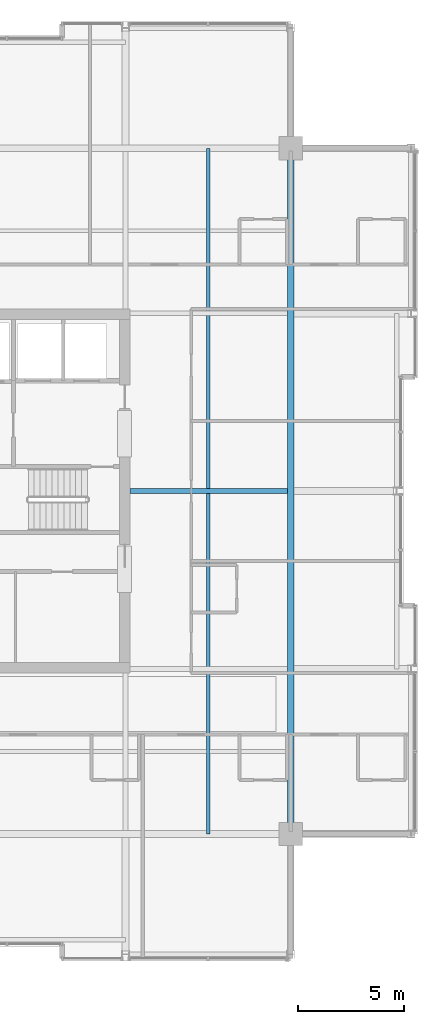
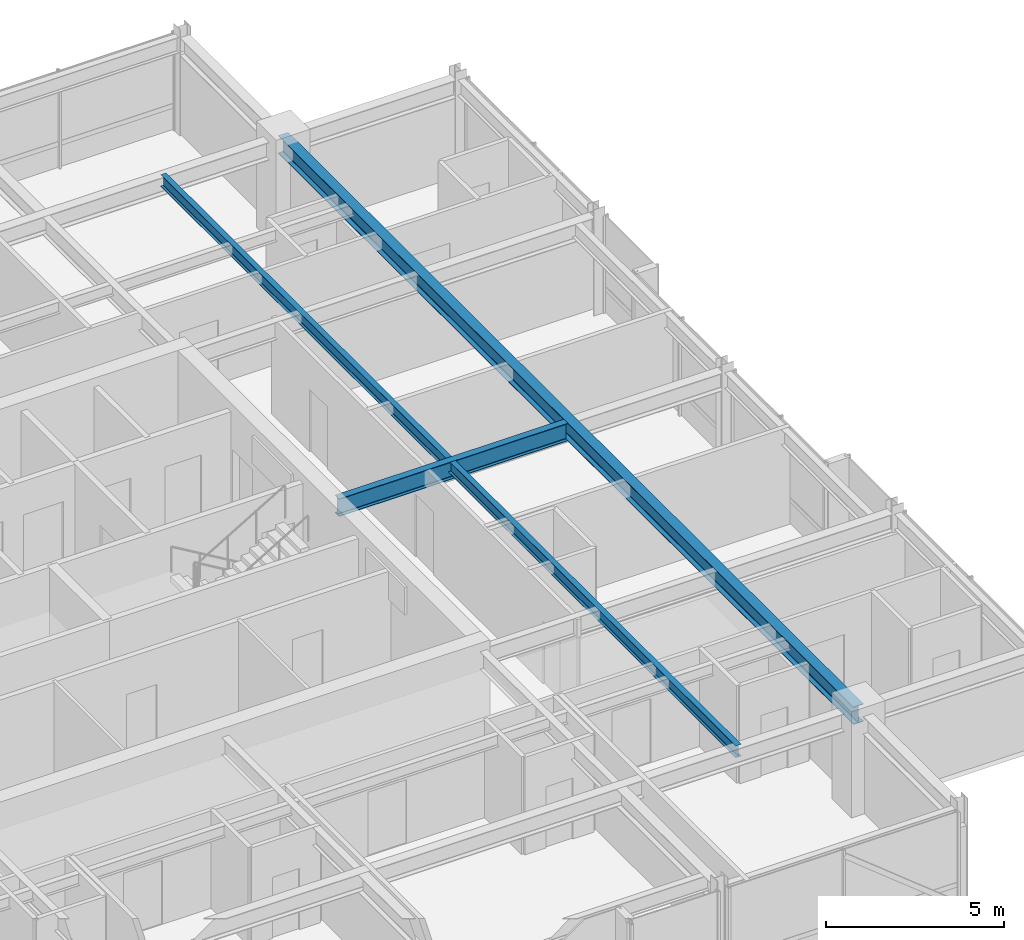
# One storey, part 17 of 34: 3 beams.
"""IFC4 building model written with IfcOpenShell, lengths in metres."""

from ifc_helpers import new_model, si_unit, direction, frame, origin, origin_2d, place, context, subcontext, project, spatial, i_section, extrude, material, material_profile, profile_set, type_object, element, save


model = new_model("IFC4")

# Units and contexts
model_context = context("Model", 3, precision=1e-05, world=origin(), true_north=direction((0.0, 1.0)))
body_context = subcontext(model_context, "Body", "Model", "MODEL_VIEW")
ifc_project = project(units=[si_unit("LENGTHUNIT", "METRE"), si_unit("AREAUNIT", "SQUARE_METRE"), si_unit("VOLUMEUNIT", "CUBIC_METRE"), si_unit("PLANEANGLEUNIT", "RADIAN"), si_unit("MASSUNIT", "GRAM", prefix="KILO")], contexts=[model_context])

# Site, building, storey
site_placement = place(None, origin())
site = spatial("IfcSite", under=ifc_project, at=site_placement, CompositionType="ELEMENT")
building_placement = place(site_placement, origin())
building = spatial("IfcBuilding", under=site, at=building_placement, Name="Drelvath Grand Hotel", CompositionType="ELEMENT")
storey_placement = place(building_placement, frame((0.0, 0.0, 290.550048828125)))
storey = spatial("IfcBuildingStorey", under=building, at=storey_placement, Name="L76", CompositionType="ELEMENT", Elevation=290.550048828125)

# Beams
ifc_material = material(Name="Steel ASTM A992 Gr 50", Category="steel")
ifc_material_profile_1 = material_profile(ifc_material, i_section(OverallWidth=0.177734375, OverallDepth=0.40673828125, WebThickness=0.0078125, FlangeThickness=0.0126953125, FilletRadius=0.014892578125, at=origin_2d()), Name="W16X40")
ifc_profile_set_1 = profile_set([ifc_material_profile_1], Name="Steel ASTM A992 Gr 50")
beam_type_1 = type_object("IfcBeamType", Name="Composite Floor Joist W16X40", PredefinedType="JOIST", material=ifc_profile_set_1)
beam_1_placement = place(storey_placement, frame((12.300048828125, 10.800048828125, 3.146484375), z_axis=(0.0, 1.0, 0.0), x_axis=(-1.0, 0.0, 0.0)))
element("IfcBeam", 1, at=beam_1_placement, inside=storey, type_object=beam_type_1, Name="L76 Wing Floor Joist J4", PredefinedType="JOIST", context=body_context, shape_type="SweptSolid", body=[
    extrude(i_section(OverallWidth=0.177734375, OverallDepth=0.40673828125, WebThickness=0.0078125, FlangeThickness=0.0126953125, FilletRadius=0.014892578125, at=origin_2d()), origin(), (0.0, 0.0, 1.0), 32.39990234375),
])
ifc_material_profile_2 = material_profile(ifc_material, i_section(OverallWidth=0.323974609375, OverallDepth=0.611083984375, WebThickness=0.0126953125, FlangeThickness=0.01904296875, FilletRadius=0.02197265625, at=origin_2d()), Name="W24X104")
ifc_profile_set_2 = profile_set([ifc_material_profile_2], Name="Steel ASTM A992 Gr 50")
beam_type_2 = type_object("IfcBeamType", Name="Primary Floor Girder W24X104", PredefinedType="BEAM", material=ifc_profile_set_2)
beam_2_placement = place(storey_placement, frame((16.199951171875, 10.800048828125, 3.04443359375), z_axis=(0.0, 1.0, 0.0), x_axis=(-1.0, 0.0, 0.0)))
element("IfcBeam", 2, at=beam_2_placement, inside=storey, type_object=beam_type_2, Name="L76 Mega Ring Girder East", PredefinedType="BEAM", context=body_context, shape_type="SweptSolid", body=[
    extrude(i_section(OverallWidth=0.323974609375, OverallDepth=0.611083984375, WebThickness=0.0126953125, FlangeThickness=0.01904296875, FilletRadius=0.02197265625, at=origin_2d()), origin(), (0.0, 0.0, 1.0), 32.39990234375),
])
ifc_material_profile_3 = material_profile(ifc_material, i_section(OverallWidth=0.228271484375, OverallDepth=0.607666015625, WebThickness=0.01123046875, FlangeThickness=0.017333984375, FilletRadius=0.02001953125, at=origin_2d()), Name="W24X76")
ifc_profile_set_3 = profile_set([ifc_material_profile_3], Name="Steel ASTM A992 Gr 50")
beam_type_3 = type_object("IfcBeamType", Name="Primary Floor Girder W24X76", PredefinedType="BEAM", material=ifc_profile_set_3)
beam_3_placement = place(storey_placement, frame((8.60009765625, 27.0, 3.046142578125), z_axis=(1.0, 0.0, 0.0), x_axis=(0.0, 1.0, 0.0)))
element("IfcBeam", 3, at=beam_3_placement, inside=storey, type_object=beam_type_3, Name="L76 East Core Tie E", PredefinedType="BEAM", context=body_context, shape_type="SweptSolid", body=[
    extrude(i_section(OverallWidth=0.228271484375, OverallDepth=0.607666015625, WebThickness=0.01123046875, FlangeThickness=0.017333984375, FilletRadius=0.02001953125, at=origin_2d()), origin(), (0.0, 0.0, 1.0), 7.43798828125),
])

save(model, "model.ifc")
